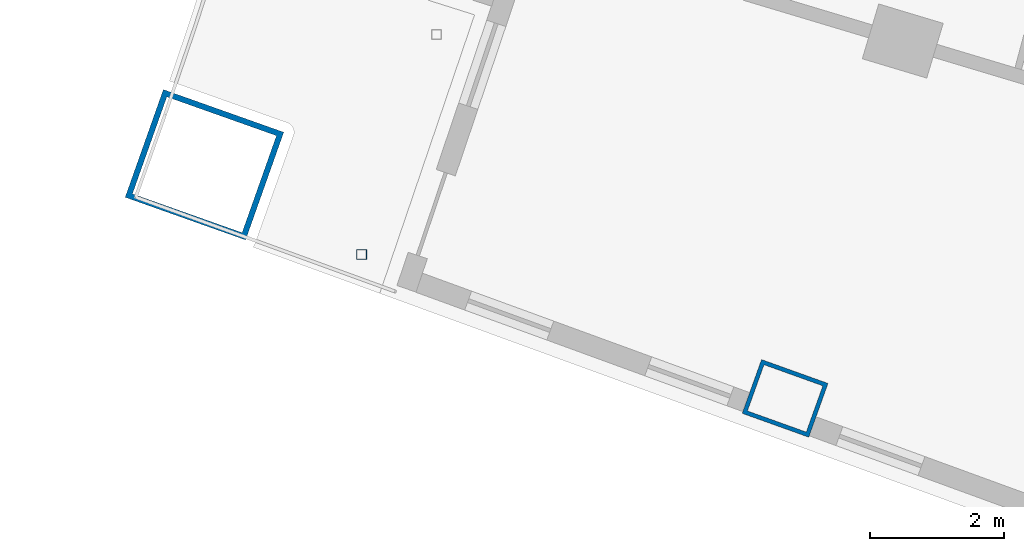
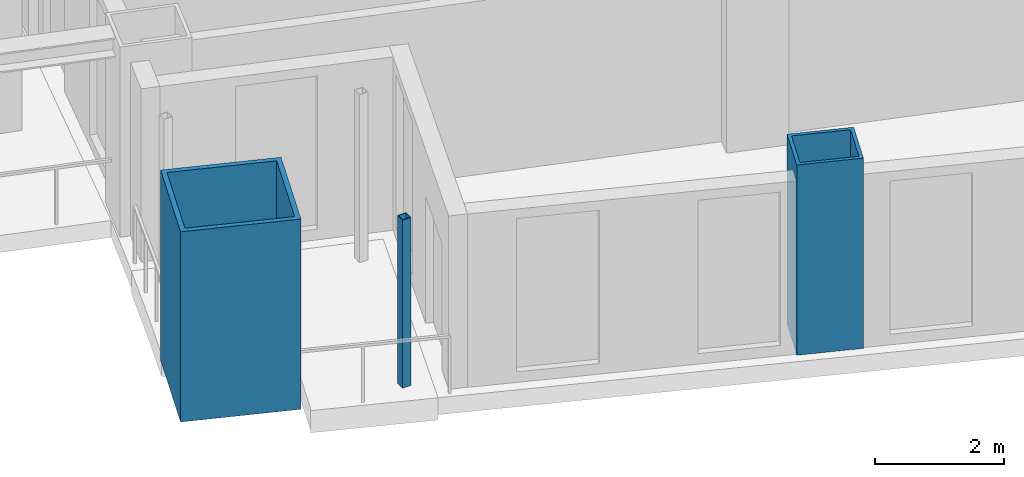
# One storey, part 1 of 25: 3 columns.
"""IFC4 building model written with IfcOpenShell, lengths in metres."""

from ifc_helpers import new_model, si_unit, direction, frame, origin, origin_2d, place, context, subcontext, project, spatial, hollow_rectangle, extrude, material, material_profile, profile_set, type_object, element, save


model = new_model("IFC4")

# Units and contexts
model_context = context("Model", 3, precision=1e-05, world=origin(), true_north=direction((0.0, 1.0)))
body_context = subcontext(model_context, "Body", "Model", "MODEL_VIEW")
ifc_project = project(units=[si_unit("LENGTHUNIT", "METRE"), si_unit("AREAUNIT", "SQUARE_METRE"), si_unit("VOLUMEUNIT", "CUBIC_METRE"), si_unit("PLANEANGLEUNIT", "RADIAN"), si_unit("MASSUNIT", "GRAM", prefix="KILO")], contexts=[model_context])

# Site, building, storey
site_placement = place(None, origin())
site = spatial("IfcSite", under=ifc_project, at=site_placement, CompositionType="ELEMENT")
building_placement = place(site_placement, origin())
building = spatial("IfcBuilding", under=site, at=building_placement, Name="Alderwake Tower", CompositionType="ELEMENT")
storey_placement = place(building_placement, frame((0.0, 0.0, 111.199951171875)))
storey = spatial("IfcBuildingStorey", under=building, at=storey_placement, Name="L27", CompositionType="ELEMENT", Elevation=111.199951171875)

# Columns
ifc_material_1 = material(Name="Steel ASTM A572 Grade 50 concrete filled C70/85", Category="concrete")
ifc_material_profile_1 = material_profile(ifc_material_1, hollow_rectangle(XDim=0.85009765625, YDim=1.050048828125, WallThickness=0.06005859375, at=origin_2d()), Name="BOX 1050X850X60")
ifc_profile_set_1 = profile_set([ifc_material_profile_1], Name="Steel ASTM A572 Grade 50 concrete filled C70/85")
column_type_1 = type_object("IfcColumnType", Name="End column Z2", PredefinedType="COLUMN", material=ifc_profile_set_1)
column_1_placement = place(storey_placement, frame((19.965576171875, 25.1484375, 0.0), z_axis=(0.0, 0.0, 1.0), x_axis=(0.337584879279, 0.9412950915, 0.0)))
element("IfcColumn", 1, at=column_1_placement, inside=storey, type_object=column_type_1, Name="Column R01-C1", PredefinedType="COLUMN", context=body_context, shape_type="SweptSolid", body=[
    extrude(hollow_rectangle(XDim=0.85009765625, YDim=1.050048828125, WallThickness=0.06005859375, at=origin_2d()), origin(), (0.0, 0.0, 1.0), 3.60009765625),
])
ifc_material_2 = material(Name="Steel ASTM A500 Grade C", Category="steel")
ifc_material_profile_2 = material_profile(ifc_material_2, hollow_rectangle(XDim=0.15234375, YDim=0.15234375, WallThickness=0.0087890625, at=origin_2d()), Name="HSS6X6X3/8")
ifc_profile_set_2 = profile_set([ifc_material_profile_2], Name="Steel ASTM A500 Grade C")
column_type_2 = type_object("IfcColumnType", Name="Light post HSS6X6X3/8", PredefinedType="COLUMN", material=ifc_profile_set_2)
column_2_placement = place(storey_placement, frame((13.66796875, 27.28759765625, 0.0), z_axis=(0.0, 0.0, 1.0), x_axis=(1.0, 0.0, 0.0)))
element("IfcColumn", 2, at=column_2_placement, inside=storey, type_object=column_type_2, Name="Terrace post RS2", PredefinedType="COLUMN", context=body_context, shape_type="SweptSolid", body=[
    extrude(hollow_rectangle(XDim=0.15234375, YDim=0.15234375, WallThickness=0.0087890625, at=origin_2d()), origin(), (0.0, 0.0, 1.0), 3.179931640625),
])
ifc_material_3 = material(Name="Steel ASTM A572 Grade 50 concrete filled C70/85", Category="concrete")
ifc_material_profile_3 = material_profile(ifc_material_3, hollow_rectangle(XDim=1.699951171875, YDim=1.89990234375, WallThickness=0.0849609375, at=origin_2d()), Name="BOX 1900X1700X85")
ifc_profile_set_3 = profile_set([ifc_material_profile_3], Name="Steel ASTM A572 Grade 50 concrete filled C70/85")
column_type_3 = type_object("IfcColumnType", Name="Mega column Z2", PredefinedType="COLUMN", material=ifc_profile_set_3)
column_3_placement = place(storey_placement, frame((11.330810546875, 28.622802734375, 0.0), z_axis=(0.0, 0.0, 1.0), x_axis=(0.334130947791, 0.942526662609, 0.0)))
element("IfcColumn", 3, at=column_3_placement, inside=storey, type_object=column_type_3, Name="Column R01-C0", PredefinedType="COLUMN", context=body_context, shape_type="SweptSolid", body=[
    extrude(hollow_rectangle(XDim=1.699951171875, YDim=1.89990234375, WallThickness=0.0849609375, at=origin_2d()), origin(), (0.0, 0.0, 1.0), 3.60009765625),
])

save(model, "model.ifc")
